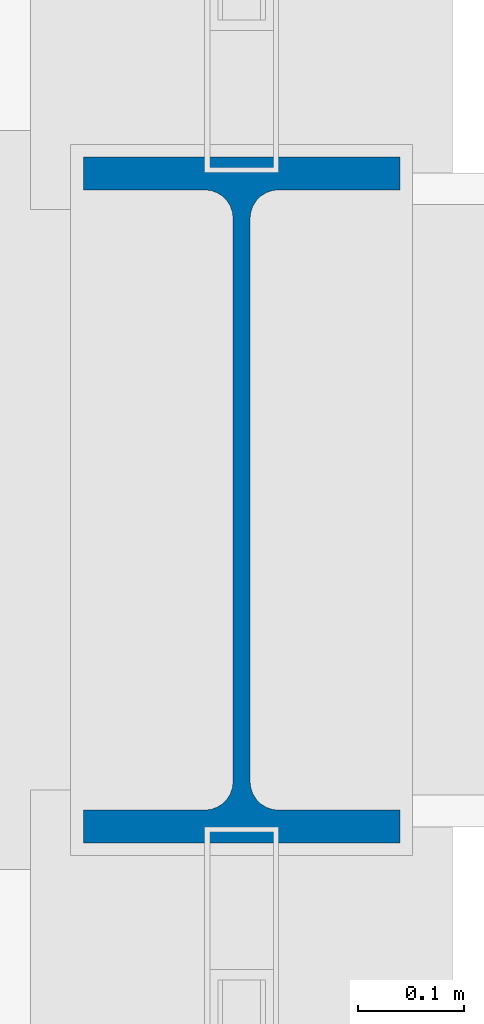
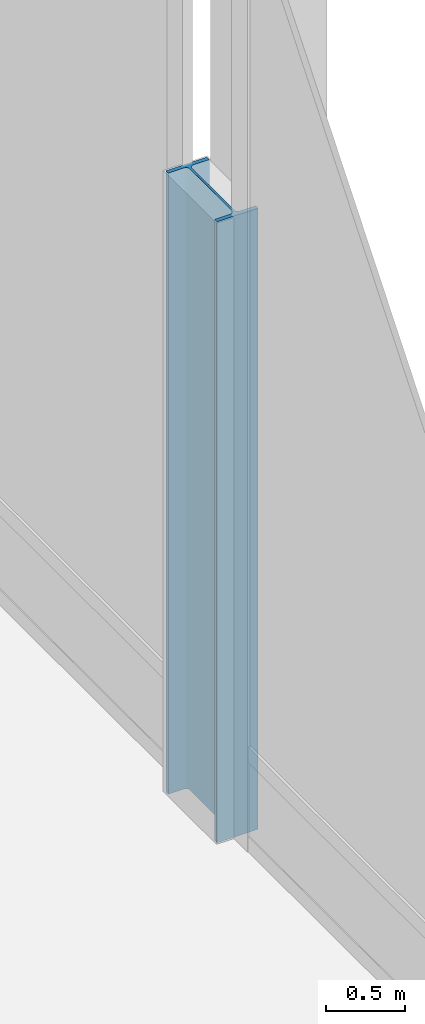
# One storey, part 19 of 193: 1 column.
"""IFC4 building model written with IfcOpenShell, lengths in metres."""

from ifc_helpers import new_model, si_unit, direction, frame, origin, origin_2d, place, context, subcontext, project, spatial, i_section, extrude, material, material_profile, profile_set, type_object, element, save


model = new_model("IFC4")

# Units and contexts
model_context = context("Model", 3, precision=1e-05, world=origin(), true_north=direction((0.0, 1.0)))
body_context = subcontext(model_context, "Body", "Model", "MODEL_VIEW")
ifc_project = project(units=[si_unit("LENGTHUNIT", "METRE"), si_unit("AREAUNIT", "SQUARE_METRE"), si_unit("VOLUMEUNIT", "CUBIC_METRE"), si_unit("PLANEANGLEUNIT", "RADIAN"), si_unit("MASSUNIT", "GRAM", prefix="KILO")], contexts=[model_context])

# Site, building, storey
site_placement = place(None, origin())
site = spatial("IfcSite", under=ifc_project, at=site_placement, CompositionType="ELEMENT")
building_placement = place(site_placement, origin())
building = spatial("IfcBuilding", under=site, at=building_placement, Name="Cendralis Lancet Convention Centre", CompositionType="ELEMENT")
storey_placement = place(building_placement, frame((0.0, 0.0, 10.199951171875)))
storey = spatial("IfcBuildingStorey", under=building, at=storey_placement, Name="L02", CompositionType="ELEMENT", Elevation=10.199951171875)

# Column
ifc_material = material(Name="Steel S355", Category="steel")
ifc_material_profile = material_profile(ifc_material, i_section(OverallWidth=0.300048828125, OverallDepth=0.64990234375, WebThickness=0.01611328125, FlangeThickness=0.031005859375, FilletRadius=0.027099609375, at=origin_2d()), Name="HEB 650")
ifc_profile_set = profile_set([ifc_material_profile], Name="Steel S355")
column_type = type_object("IfcColumnType", Name="STR-COL-C20", PredefinedType="COLUMN", material=ifc_profile_set)
column_placement = place(storey_placement, frame((208.800048828125, 122.39990234375, 0.0), z_axis=(0.0, 0.0, 1.0), x_axis=(1.0, 0.0, 0.0)))
element("IfcColumn", 1, at=column_placement, inside=storey, type_object=column_type, Name="L02 Column C20 at 208.8,122.4", PredefinedType="COLUMN", context=body_context, shape_type="SweptSolid", body=[
    extrude(i_section(OverallWidth=0.300048828125, OverallDepth=0.64990234375, WebThickness=0.01611328125, FlangeThickness=0.031005859375, FilletRadius=0.027099609375, at=origin_2d()), origin(), (0.0, 0.0, 1.0), 4.800048828125),
])

save(model, "model.ifc")
